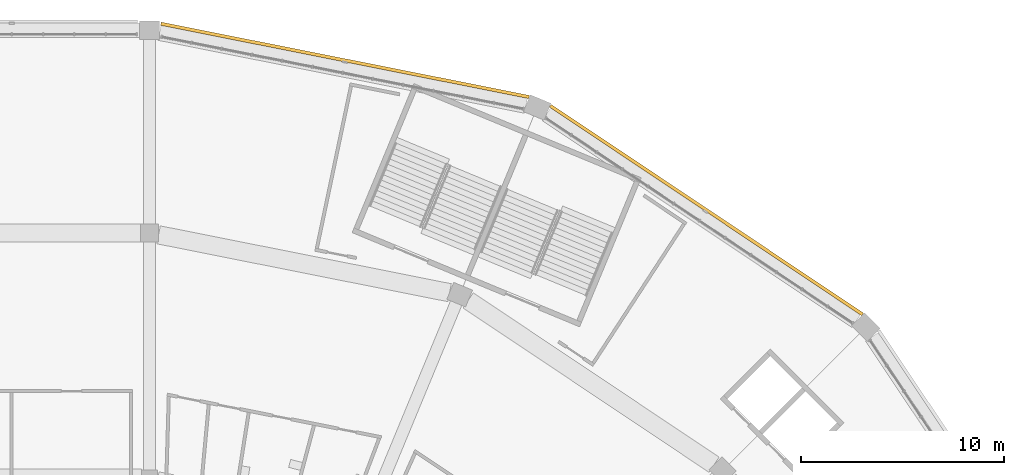
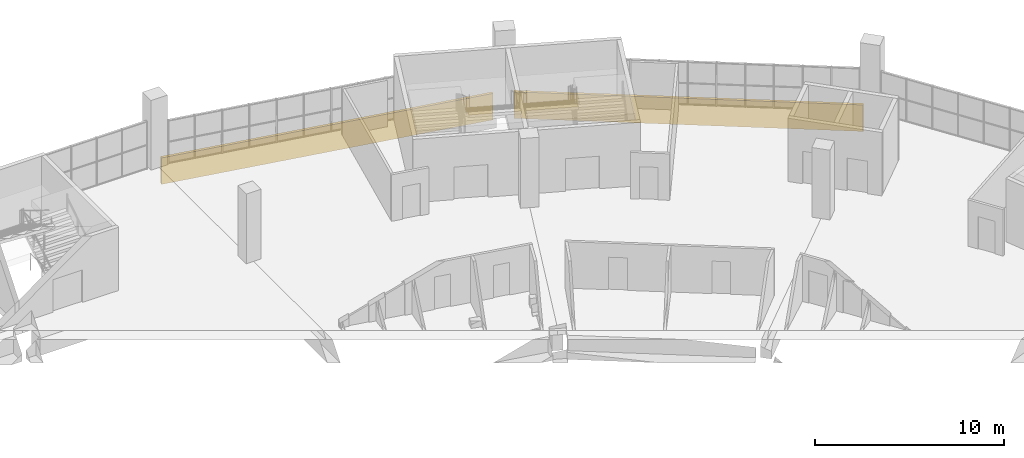
# One storey, part 192 of 199: 2 coverings.
"""IFC4 building model written with IfcOpenShell, lengths in metres."""

from ifc_helpers import new_model, si_unit, direction, frame, origin, place, context, subcontext, project, spatial, polyline, outline, extrude, material, layer, layer_set, type_object, element, save


model = new_model("IFC4")

# Units and contexts
model_context = context("Model", 3, precision=1e-05, world=origin(), true_north=direction((0.0, 1.0)))
body_context = subcontext(model_context, "Body", "Model", "MODEL_VIEW")
ifc_project = project(units=[si_unit("LENGTHUNIT", "METRE"), si_unit("AREAUNIT", "SQUARE_METRE"), si_unit("VOLUMEUNIT", "CUBIC_METRE"), si_unit("PLANEANGLEUNIT", "RADIAN"), si_unit("MASSUNIT", "GRAM", prefix="KILO")], contexts=[model_context])

# Site, building, storey
site_placement = place(None, origin())
site = spatial("IfcSite", under=ifc_project, at=site_placement, CompositionType="ELEMENT")
building_placement = place(site_placement, origin())
building = spatial("IfcBuilding", under=site, at=building_placement, Name="Ogive Plaza Stadium", CompositionType="ELEMENT")
storey_placement = place(building_placement, frame((0.0, 0.0, 4.5)))
storey = spatial("IfcBuildingStorey", under=building, at=storey_placement, Name="L01", CompositionType="ELEMENT", Elevation=4.5)

# Coverings
ifc_material = material(Name="Cast stone (reconstituted limestone)", Category="masonry")
ifc_layer = layer(ifc_material, 0.159912109375)
ifc_layer_set = layer_set([ifc_layer], Name="Precast spandrel cladding 160")
covering_type = type_object("IfcCoveringType", Name="Precast spandrel cladding 160", PredefinedType="CLADDING", material=ifc_layer_set)
covering_1_placement = place(storey_placement, frame((0.0, 0.0, -1.7099609375)))
element("IfcCovering", 1, at=covering_1_placement, inside=storey, type_object=covering_type, Name="SPANDREL CLADDING B37 L01", PredefinedType="CLADDING", context=body_context, shape_type="SweptSolid", body=[
    extrude(outline(polyline([(34.550048828125, 102.74755859375), (52.720703125, 99.133056640625), (52.751953125, 99.2900390625), (34.581298828125, 102.904296875), (34.550048828125, 102.74755859375)])), origin(), (0.0, 0.0, 1.0), 1.7099609375),
])
covering_2_placement = place(storey_placement, frame((0.0, 0.0, -1.7099609375)))
element("IfcCovering", 2, at=covering_2_placement, inside=storey, type_object=covering_type, Name="SPANDREL CLADDING B38 L01", PredefinedType="CLADDING", context=body_context, shape_type="SweptSolid", body=[
    extrude(outline(polyline([(53.737060546875, 98.712158203125), (69.141357421875, 88.419189453125), (69.230224609375, 88.55224609375), (53.825927734375, 98.84521484375), (53.737060546875, 98.712158203125)])), origin(), (0.0, 0.0, 1.0), 1.7099609375),
])

save(model, "model.ifc")
